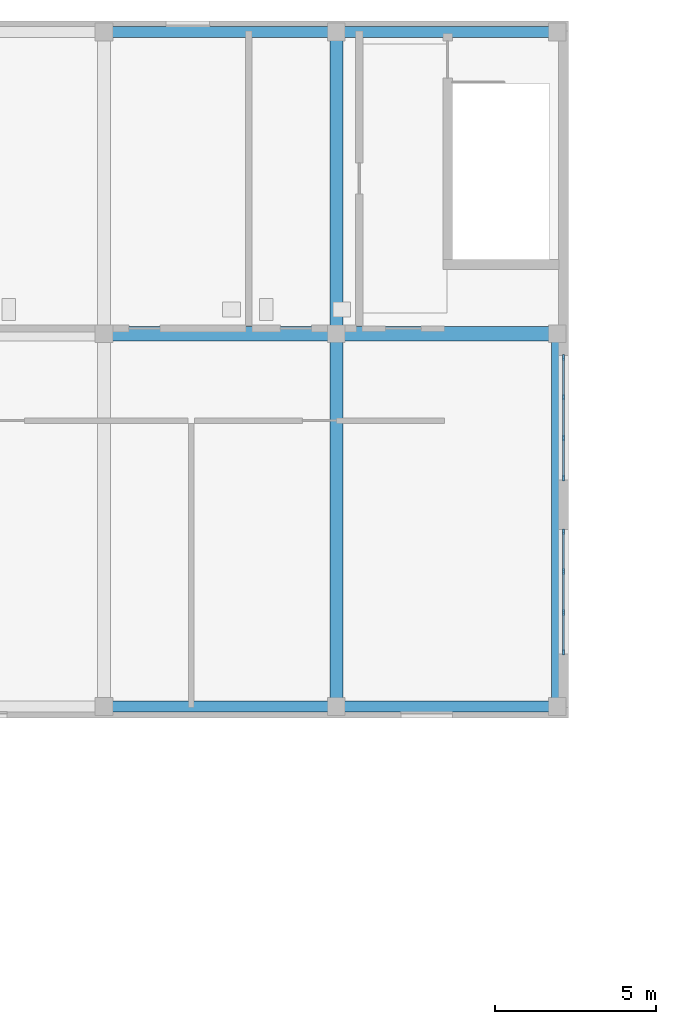
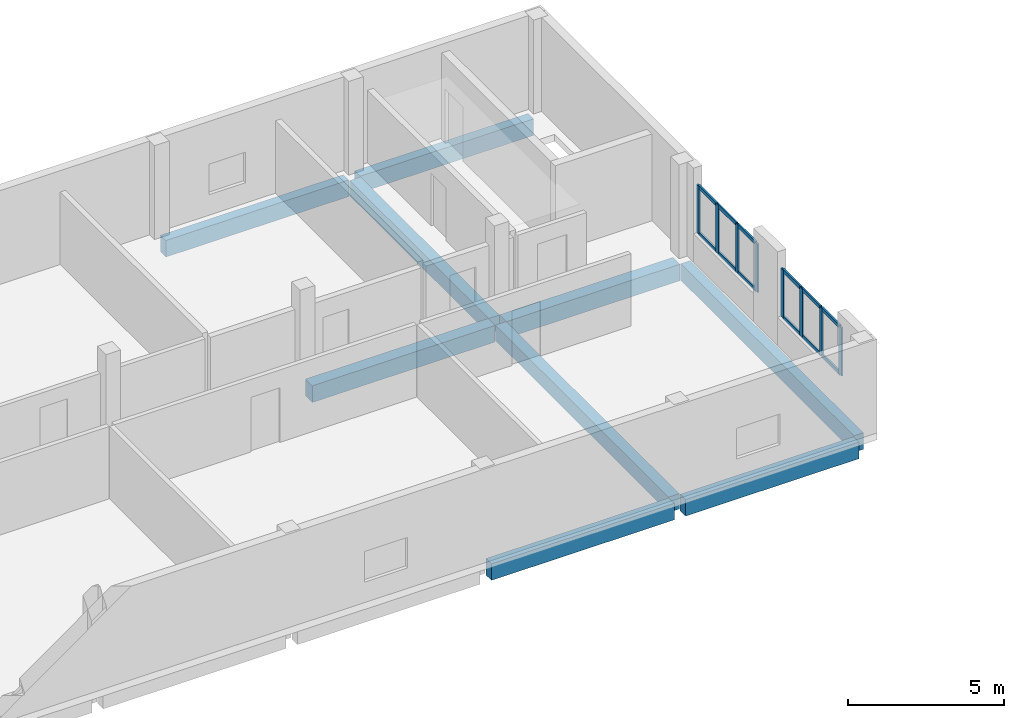
# One storey, part 21 of 73: 20 members, 9 beams, 2 elements without a shape of their own.
"""IFC4 building model written with IfcOpenShell, lengths in metres."""

from ifc_helpers import new_model, si_unit, derived_unit, direction, frame, origin, origin_2d, place, context, subcontext, project, spatial, rectangle, extrude, material, layer, layer_set, material_profile, profile_set, type_object, element, aggregate, save


model = new_model("IFC4")

# Units and contexts
model_context = context("Model", 3, precision=1e-05, world=origin(), true_north=direction((0.0, 1.0)))
body_context = subcontext(model_context, "Body", "Model", "MODEL_VIEW")
ifc_project = project(units=[si_unit("LENGTHUNIT", "METRE"), si_unit("AREAUNIT", "SQUARE_METRE"), si_unit("VOLUMEUNIT", "CUBIC_METRE"), si_unit("PLANEANGLEUNIT", "RADIAN"), si_unit("MASSUNIT", "GRAM", prefix="KILO"), derived_unit("THERMALTRANSMITTANCEUNIT", [(si_unit("MASSUNIT", "GRAM", prefix="KILO"), 1), (si_unit("TIMEUNIT", "SECOND"), -3), (si_unit("THERMODYNAMICTEMPERATUREUNIT", "KELVIN"), -1)])], contexts=[model_context])

# Site, building, storey
site_placement = place(None, origin())
site = spatial("IfcSite", under=ifc_project, at=site_placement, CompositionType="ELEMENT")
building_placement = place(site_placement, origin())
building = spatial("IfcBuilding", under=site, at=building_placement, Name="Ochrekiln Boulevard Commons", CompositionType="ELEMENT")
storey_placement = place(building_placement, frame((0.0, 0.0, 4.89990234375)))
storey = spatial("IfcBuildingStorey", under=building, at=storey_placement, Name="L01", CompositionType="ELEMENT", Elevation=4.89990234375)

# Beams
ifc_material_1 = material(Name="Concrete C35/45", Category="concrete")
ifc_material_profile_1 = material_profile(ifc_material_1, rectangle(XDim=0.39990234375, YDim=0.60009765625, at=origin_2d()), Name="RC-BM-400x600")
ifc_profile_set_1 = profile_set([ifc_material_profile_1], Name="Concrete C35/45")
beam_type_1 = type_object("IfcBeamType", Name="BM-RC-400x600", PredefinedType="BEAM", material=ifc_profile_set_1)
beam_1_placement = place(storey_placement, frame((100.800048828125, 97.760009765625, -0.56982421875), z_axis=(0.0, 1.0, 0.0), x_axis=(-1.0, 0.0, 0.0)))
element("IfcBeam", 1, at=beam_1_placement, inside=storey, type_object=beam_type_1, Name="Nursery Pavilion L01 Beam B-4060 Y28", PredefinedType="BEAM", context=body_context, shape_type="SweptSolid", body=[
    extrude(rectangle(XDim=0.39990234375, YDim=0.60009765625, at=origin_2d()), origin(), (0.0, 0.0, 1.0), 11.1298828125),
])
beam_2_placement = place(storey_placement, frame((100.800048828125, 109.31005859375, -0.56982421875), z_axis=(0.0, 1.0, 0.0), x_axis=(-1.0, 0.0, 0.0)))
element("IfcBeam", 2, at=beam_2_placement, inside=storey, type_object=beam_type_1, Name="Nursery Pavilion L01 Beam B-4060 Y29", PredefinedType="BEAM", context=body_context, shape_type="SweptSolid", body=[
    extrude(rectangle(XDim=0.39990234375, YDim=0.60009765625, at=origin_2d()), origin(), (0.0, 0.0, 1.0), 8.929931640625),
])
ifc_material_profile_2 = material_profile(ifc_material_1, rectangle(XDim=0.449951171875, YDim=0.64990234375, at=origin_2d()), Name="RC-BM-450x650")
ifc_profile_set_2 = profile_set([ifc_material_profile_2], Name="Concrete C35/45")
beam_type_2 = type_object("IfcBeamType", Name="BM-RC-450x650", PredefinedType="BEAM", material=ifc_profile_set_2)
beam_3_placement = place(storey_placement, frame((93.81005859375, 109.10009765625, -0.594970703125), z_axis=(1.0, 0.0, 0.0), x_axis=(0.0, 1.0, 0.0)))
element("IfcBeam", 3, at=beam_3_placement, inside=storey, type_object=beam_type_2, Name="Nursery Pavilion L01 Beam B-4565 X11", PredefinedType="BEAM", context=body_context, shape_type="SweptSolid", body=[
    extrude(rectangle(XDim=0.449951171875, YDim=0.64990234375, at=origin_2d()), origin(), (0.0, 0.0, 1.0), 6.780029296875),
])
beam_4_placement = place(storey_placement, frame((101.010009765625, 109.10009765625, -0.594970703125), z_axis=(1.0, 0.0, 0.0), x_axis=(0.0, 1.0, 0.0)))
element("IfcBeam", 4, at=beam_4_placement, inside=storey, type_object=beam_type_2, Name="Nursery Pavilion L01 Beam B-4565 X12", PredefinedType="BEAM", context=body_context, shape_type="SweptSolid", body=[
    extrude(rectangle(XDim=0.449951171875, YDim=0.64990234375, at=origin_2d()), origin(), (0.0, 0.0, 1.0), 6.429931640625),
])

# Curtain wall, members
ifc_material_2 = material(Name="Bronze-anodized extruded aluminium 6063-T6", Category="aluminium")
ifc_layer = layer(ifc_material_2, 0.219970703125)
ifc_layer_set = layer_set([ifc_layer], Name="Bronze-anodized extruded aluminium 6063-T6")
curtain_wall_type = type_object("IfcCurtainWallType", Name="CW-NUR", PredefinedType="USERDEFINED", material=ifc_layer_set)
curtain_wall_1_placement = place(storey_placement, origin())
curtain_wall_1 = element("IfcCurtainWall", 5, at=curtain_wall_1_placement, inside=storey, type_object=curtain_wall_type, Name="Nursery L01 Garden End Curtain Wall E-1", ObjectType="GLAZED CURTAIN WALL", PredefinedType="USERDEFINED")
ifc_material_profile_3 = material_profile(ifc_material_2, rectangle(XDim=0.06494140625, YDim=0.179931640625, at=origin_2d()), Name="ALU-MUL-65x180")
ifc_profile_set_3 = profile_set([ifc_material_profile_3], Name="Bronze-anodized extruded aluminium 6063-T6")
member_type_1 = type_object("IfcMemberType", Name="CWM-65x180", PredefinedType="MULLION", material=ifc_profile_set_3)
member_1_placement = place(storey_placement, frame((107.840087890625, 99.232421875, 1.110107421875), z_axis=(0.0, 0.0, 1.0), x_axis=(-1.0, 0.0, 0.0)))
member_1 = element("IfcMember", 6, at=member_1_placement, type_object=member_type_1, Name="CW-05 mullion 1", PredefinedType="MULLION", context=body_context, shape_type="SweptSolid", body=[
    extrude(rectangle(XDim=0.06494140625, YDim=0.179931640625, at=origin_2d()), origin(), (0.0, 0.0, 1.0), 1.889892578125),
])
member_2_placement = place(storey_placement, frame((107.840087890625, 100.466552734375, 1.110107421875), z_axis=(0.0, 0.0, 1.0), x_axis=(-1.0, 0.0, 0.0)))
member_2 = element("IfcMember", 7, at=member_2_placement, type_object=member_type_1, Name="CW-05 mullion 2", PredefinedType="MULLION", context=body_context, shape_type="SweptSolid", body=[
    extrude(rectangle(XDim=0.06494140625, YDim=0.179931640625, at=origin_2d()), origin(), (0.0, 0.0, 1.0), 1.889892578125),
])
member_3_placement = place(storey_placement, frame((107.840087890625, 101.7333984375, 1.110107421875), z_axis=(0.0, 0.0, 1.0), x_axis=(-1.0, 0.0, 0.0)))
member_3 = element("IfcMember", 8, at=member_3_placement, type_object=member_type_1, Name="CW-05 mullion 3", PredefinedType="MULLION", context=body_context, shape_type="SweptSolid", body=[
    extrude(rectangle(XDim=0.06494140625, YDim=0.179931640625, at=origin_2d()), origin(), (0.0, 0.0, 1.0), 1.889892578125),
])
member_4_placement = place(storey_placement, frame((107.840087890625, 102.967529296875, 1.110107421875), z_axis=(0.0, 0.0, 1.0), x_axis=(-1.0, 0.0, 0.0)))
member_4 = element("IfcMember", 9, at=member_4_placement, type_object=member_type_1, Name="CW-05 mullion 4", PredefinedType="MULLION", context=body_context, shape_type="SweptSolid", body=[
    extrude(rectangle(XDim=0.06494140625, YDim=0.179931640625, at=origin_2d()), origin(), (0.0, 0.0, 1.0), 1.889892578125),
])

curtain_wall_2_placement = place(storey_placement, origin())
curtain_wall_2 = element("IfcCurtainWall", 10, at=curtain_wall_2_placement, inside=storey, type_object=curtain_wall_type, Name="Nursery L01 Garden End Curtain Wall E-2", ObjectType="GLAZED CURTAIN WALL", PredefinedType="USERDEFINED")
member_5_placement = place(storey_placement, frame((107.840087890625, 104.632568359375, 1.110107421875), z_axis=(0.0, 0.0, 1.0), x_axis=(-1.0, 0.0, 0.0)))
member_5 = element("IfcMember", 11, at=member_5_placement, type_object=member_type_1, Name="CW-05 mullion 1", PredefinedType="MULLION", context=body_context, shape_type="SweptSolid", body=[
    extrude(rectangle(XDim=0.06494140625, YDim=0.179931640625, at=origin_2d()), origin(), (0.0, 0.0, 1.0), 1.889892578125),
])
member_6_placement = place(storey_placement, frame((107.840087890625, 105.86669921875, 1.110107421875), z_axis=(0.0, 0.0, 1.0), x_axis=(-1.0, 0.0, 0.0)))
member_6 = element("IfcMember", 12, at=member_6_placement, type_object=member_type_1, Name="CW-05 mullion 2", PredefinedType="MULLION", context=body_context, shape_type="SweptSolid", body=[
    extrude(rectangle(XDim=0.06494140625, YDim=0.179931640625, at=origin_2d()), origin(), (0.0, 0.0, 1.0), 1.889892578125),
])
member_7_placement = place(storey_placement, frame((107.840087890625, 107.13330078125, 1.110107421875), z_axis=(0.0, 0.0, 1.0), x_axis=(-1.0, 0.0, 0.0)))
member_7 = element("IfcMember", 13, at=member_7_placement, type_object=member_type_1, Name="CW-05 mullion 3", PredefinedType="MULLION", context=body_context, shape_type="SweptSolid", body=[
    extrude(rectangle(XDim=0.06494140625, YDim=0.179931640625, at=origin_2d()), origin(), (0.0, 0.0, 1.0), 1.889892578125),
])
member_8_placement = place(storey_placement, frame((107.840087890625, 108.367431640625, 1.110107421875), z_axis=(0.0, 0.0, 1.0), x_axis=(-1.0, 0.0, 0.0)))
member_8 = element("IfcMember", 14, at=member_8_placement, type_object=member_type_1, Name="CW-05 mullion 4", PredefinedType="MULLION", context=body_context, shape_type="SweptSolid", body=[
    extrude(rectangle(XDim=0.06494140625, YDim=0.179931640625, at=origin_2d()), origin(), (0.0, 0.0, 1.0), 1.889892578125),
])

# Member
ifc_material_profile_4 = material_profile(ifc_material_2, rectangle(XDim=0.06494140625, YDim=0.139892578125, at=origin_2d()), Name="ALU-TRN-65x140")
ifc_profile_set_4 = profile_set([ifc_material_profile_4], Name="Bronze-anodized extruded aluminium 6063-T6")
member_type_2 = type_object("IfcMemberType", Name="CWT-65x140", PredefinedType="USERDEFINED", material=ifc_profile_set_4)
member_9_placement = place(storey_placement, frame((107.840087890625, 99.264892578125, 1.142578125), z_axis=(0.0, 1.0, 0.0), x_axis=(-1.0, 0.0, 0.0)))
member_9 = element("IfcMember", 15, at=member_9_placement, type_object=member_type_2, Name="CW-05 transom 1.1", ObjectType="TRANSOM", PredefinedType="USERDEFINED", context=body_context, shape_type="SweptSolid", body=[
    extrude(rectangle(XDim=0.06494140625, YDim=0.139892578125, at=origin_2d()), origin(), (0.0, 0.0, 1.0), 1.169189453125),
])

member_10_placement = place(storey_placement, frame((107.840087890625, 99.264892578125, 2.967529296875), z_axis=(0.0, 1.0, 0.0), x_axis=(-1.0, 0.0, 0.0)))
member_10 = element("IfcMember", 16, at=member_10_placement, type_object=member_type_2, Name="CW-05 transom 1.2", ObjectType="TRANSOM", PredefinedType="USERDEFINED", context=body_context, shape_type="SweptSolid", body=[
    extrude(rectangle(XDim=0.06494140625, YDim=0.139892578125, at=origin_2d()), origin(), (0.0, 0.0, 1.0), 1.169189453125),
])

member_11_placement = place(storey_placement, frame((107.840087890625, 100.499267578125, 1.142578125), z_axis=(0.0, 1.0, 0.0), x_axis=(-1.0, 0.0, 0.0)))
member_11 = element("IfcMember", 17, at=member_11_placement, type_object=member_type_2, Name="CW-05 transom 2.1", ObjectType="TRANSOM", PredefinedType="USERDEFINED", context=body_context, shape_type="SweptSolid", body=[
    extrude(rectangle(XDim=0.06494140625, YDim=0.139892578125, at=origin_2d()), origin(), (0.0, 0.0, 1.0), 1.20166015625),
])

member_12_placement = place(storey_placement, frame((107.840087890625, 100.499267578125, 2.967529296875), z_axis=(0.0, 1.0, 0.0), x_axis=(-1.0, 0.0, 0.0)))
member_12 = element("IfcMember", 18, at=member_12_placement, type_object=member_type_2, Name="CW-05 transom 2.2", ObjectType="TRANSOM", PredefinedType="USERDEFINED", context=body_context, shape_type="SweptSolid", body=[
    extrude(rectangle(XDim=0.06494140625, YDim=0.139892578125, at=origin_2d()), origin(), (0.0, 0.0, 1.0), 1.20166015625),
])

member_13_placement = place(storey_placement, frame((107.840087890625, 101.765869140625, 1.142578125), z_axis=(0.0, 1.0, 0.0), x_axis=(-1.0, 0.0, 0.0)))
member_13 = element("IfcMember", 19, at=member_13_placement, type_object=member_type_2, Name="CW-05 transom 3.1", ObjectType="TRANSOM", PredefinedType="USERDEFINED", context=body_context, shape_type="SweptSolid", body=[
    extrude(rectangle(XDim=0.06494140625, YDim=0.139892578125, at=origin_2d()), origin(), (0.0, 0.0, 1.0), 1.169189453125),
])

member_14_placement = place(storey_placement, frame((107.840087890625, 101.765869140625, 2.967529296875), z_axis=(0.0, 1.0, 0.0), x_axis=(-1.0, 0.0, 0.0)))
member_14 = element("IfcMember", 20, at=member_14_placement, type_object=member_type_2, Name="CW-05 transom 3.2", ObjectType="TRANSOM", PredefinedType="USERDEFINED", context=body_context, shape_type="SweptSolid", body=[
    extrude(rectangle(XDim=0.06494140625, YDim=0.139892578125, at=origin_2d()), origin(), (0.0, 0.0, 1.0), 1.169189453125),
])

aggregate(curtain_wall_1, [member_1, member_2, member_3, member_4, member_9, member_10, member_11, member_12, member_13, member_14])

member_15_placement = place(storey_placement, frame((107.840087890625, 104.6650390625, 1.142578125), z_axis=(0.0, 1.0, 0.0), x_axis=(-1.0, 0.0, 0.0)))
member_15 = element("IfcMember", 21, at=member_15_placement, type_object=member_type_2, Name="CW-05 transom 1.1", ObjectType="TRANSOM", PredefinedType="USERDEFINED", context=body_context, shape_type="SweptSolid", body=[
    extrude(rectangle(XDim=0.06494140625, YDim=0.139892578125, at=origin_2d()), origin(), (0.0, 0.0, 1.0), 1.169189453125),
])

member_16_placement = place(storey_placement, frame((107.840087890625, 104.6650390625, 2.967529296875), z_axis=(0.0, 1.0, 0.0), x_axis=(-1.0, 0.0, 0.0)))
member_16 = element("IfcMember", 22, at=member_16_placement, type_object=member_type_2, Name="CW-05 transom 1.2", ObjectType="TRANSOM", PredefinedType="USERDEFINED", context=body_context, shape_type="SweptSolid", body=[
    extrude(rectangle(XDim=0.06494140625, YDim=0.139892578125, at=origin_2d()), origin(), (0.0, 0.0, 1.0), 1.169189453125),
])

member_17_placement = place(storey_placement, frame((107.840087890625, 105.899169921875, 1.142578125), z_axis=(0.0, 1.0, 0.0), x_axis=(-1.0, 0.0, 0.0)))
member_17 = element("IfcMember", 23, at=member_17_placement, type_object=member_type_2, Name="CW-05 transom 2.1", ObjectType="TRANSOM", PredefinedType="USERDEFINED", context=body_context, shape_type="SweptSolid", body=[
    extrude(rectangle(XDim=0.06494140625, YDim=0.139892578125, at=origin_2d()), origin(), (0.0, 0.0, 1.0), 1.20166015625),
])

member_18_placement = place(storey_placement, frame((107.840087890625, 105.899169921875, 2.967529296875), z_axis=(0.0, 1.0, 0.0), x_axis=(-1.0, 0.0, 0.0)))
member_18 = element("IfcMember", 24, at=member_18_placement, type_object=member_type_2, Name="CW-05 transom 2.2", ObjectType="TRANSOM", PredefinedType="USERDEFINED", context=body_context, shape_type="SweptSolid", body=[
    extrude(rectangle(XDim=0.06494140625, YDim=0.139892578125, at=origin_2d()), origin(), (0.0, 0.0, 1.0), 1.20166015625),
])

member_19_placement = place(storey_placement, frame((107.840087890625, 107.165771484375, 1.142578125), z_axis=(0.0, 1.0, 0.0), x_axis=(-1.0, 0.0, 0.0)))
member_19 = element("IfcMember", 25, at=member_19_placement, type_object=member_type_2, Name="CW-05 transom 3.1", ObjectType="TRANSOM", PredefinedType="USERDEFINED", context=body_context, shape_type="SweptSolid", body=[
    extrude(rectangle(XDim=0.06494140625, YDim=0.139892578125, at=origin_2d()), origin(), (0.0, 0.0, 1.0), 1.169189453125),
])

member_20_placement = place(storey_placement, frame((107.840087890625, 107.165771484375, 2.967529296875), z_axis=(0.0, 1.0, 0.0), x_axis=(-1.0, 0.0, 0.0)))
member_20 = element("IfcMember", 26, at=member_20_placement, type_object=member_type_2, Name="CW-05 transom 3.2", ObjectType="TRANSOM", PredefinedType="USERDEFINED", context=body_context, shape_type="SweptSolid", body=[
    extrude(rectangle(XDim=0.06494140625, YDim=0.139892578125, at=origin_2d()), origin(), (0.0, 0.0, 1.0), 1.169189453125),
])

aggregate(curtain_wall_2, [member_5, member_6, member_7, member_8, member_15, member_16, member_17, member_18, member_19, member_20])

# Beams
ifc_material_3 = material(Name="Concrete C40/50", Category="concrete")
ifc_material_profile_5 = material_profile(ifc_material_3, rectangle(XDim=0.35009765625, YDim=0.64990234375, at=origin_2d()), Name="RC-SPN-350x650")
ifc_profile_set_5 = profile_set([ifc_material_profile_5], Name="Concrete C40/50")
beam_type_3 = type_object("IfcBeamType", Name="SPN-RC-350x650", PredefinedType="SPANDREL", material=ifc_profile_set_5)
beam_5_placement = place(storey_placement, frame((93.81005859375, 97.550048828125, -0.594970703125), z_axis=(1.0, 0.0, 0.0), x_axis=(0.0, 1.0, 0.0)))
element("IfcBeam", 27, at=beam_5_placement, inside=storey, type_object=beam_type_3, Name="Nursery Pavilion L01 Beam SP-3565 X5", PredefinedType="SPANDREL", context=body_context, shape_type="SweptSolid", body=[
    extrude(rectangle(XDim=0.35009765625, YDim=0.64990234375, at=origin_2d()), origin(), (0.0, 0.0, 1.0), 6.780029296875),
])
beam_6_placement = place(storey_placement, frame((101.010009765625, 97.550048828125, -0.594970703125), z_axis=(1.0, 0.0, 0.0), x_axis=(0.0, 1.0, 0.0)))
element("IfcBeam", 28, at=beam_6_placement, inside=storey, type_object=beam_type_3, Name="Nursery Pavilion L01 Beam SP-3565 X6", PredefinedType="SPANDREL", context=body_context, shape_type="SweptSolid", body=[
    extrude(rectangle(XDim=0.35009765625, YDim=0.64990234375, at=origin_2d()), origin(), (0.0, 0.0, 1.0), 6.429931640625),
])
beam_7_placement = place(storey_placement, frame((93.81005859375, 118.449951171875, -0.594970703125), z_axis=(1.0, 0.0, 0.0), x_axis=(0.0, 1.0, 0.0)))
element("IfcBeam", 29, at=beam_7_placement, inside=storey, type_object=beam_type_3, Name="Nursery Pavilion L01 Beam SP-3565 X17", PredefinedType="SPANDREL", context=body_context, shape_type="SweptSolid", body=[
    extrude(rectangle(XDim=0.35009765625, YDim=0.64990234375, at=origin_2d()), origin(), (0.0, 0.0, 1.0), 6.780029296875),
])
beam_8_placement = place(storey_placement, frame((101.010009765625, 118.449951171875, -0.594970703125), z_axis=(1.0, 0.0, 0.0), x_axis=(0.0, 1.0, 0.0)))
element("IfcBeam", 30, at=beam_8_placement, inside=storey, type_object=beam_type_3, Name="Nursery Pavilion L01 Beam SP-3565 X18", PredefinedType="SPANDREL", context=body_context, shape_type="SweptSolid", body=[
    extrude(rectangle(XDim=0.35009765625, YDim=0.64990234375, at=origin_2d()), origin(), (0.0, 0.0, 1.0), 6.429931640625),
])
beam_9_placement = place(storey_placement, frame((107.64990234375, 97.760009765625, -0.594970703125), z_axis=(0.0, 1.0, 0.0), x_axis=(-1.0, 0.0, 0.0)))
element("IfcBeam", 31, at=beam_9_placement, inside=storey, type_object=beam_type_3, Name="Nursery Pavilion L01 Beam SP-3565 Y30", PredefinedType="SPANDREL", context=body_context, shape_type="SweptSolid", body=[
    extrude(rectangle(XDim=0.35009765625, YDim=0.64990234375, at=origin_2d()), origin(), (0.0, 0.0, 1.0), 11.1298828125),
])

save(model, "model.ifc")
